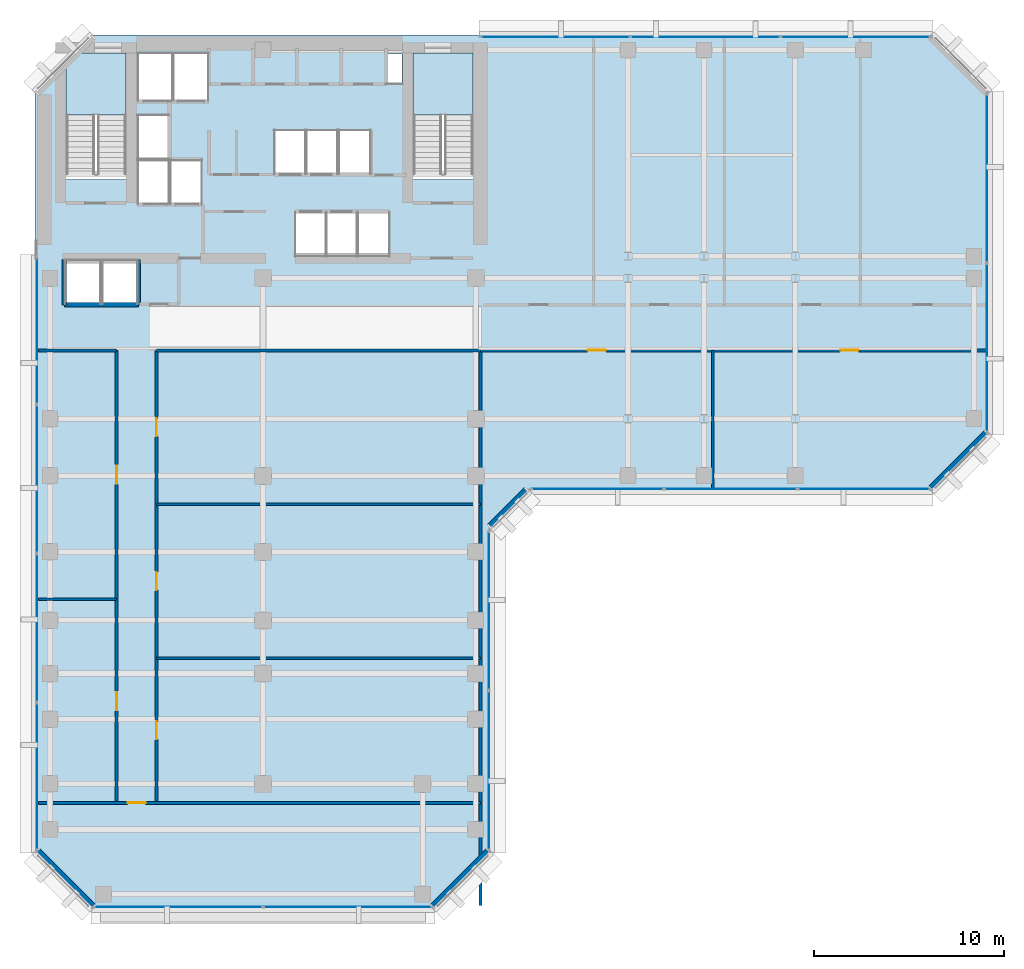
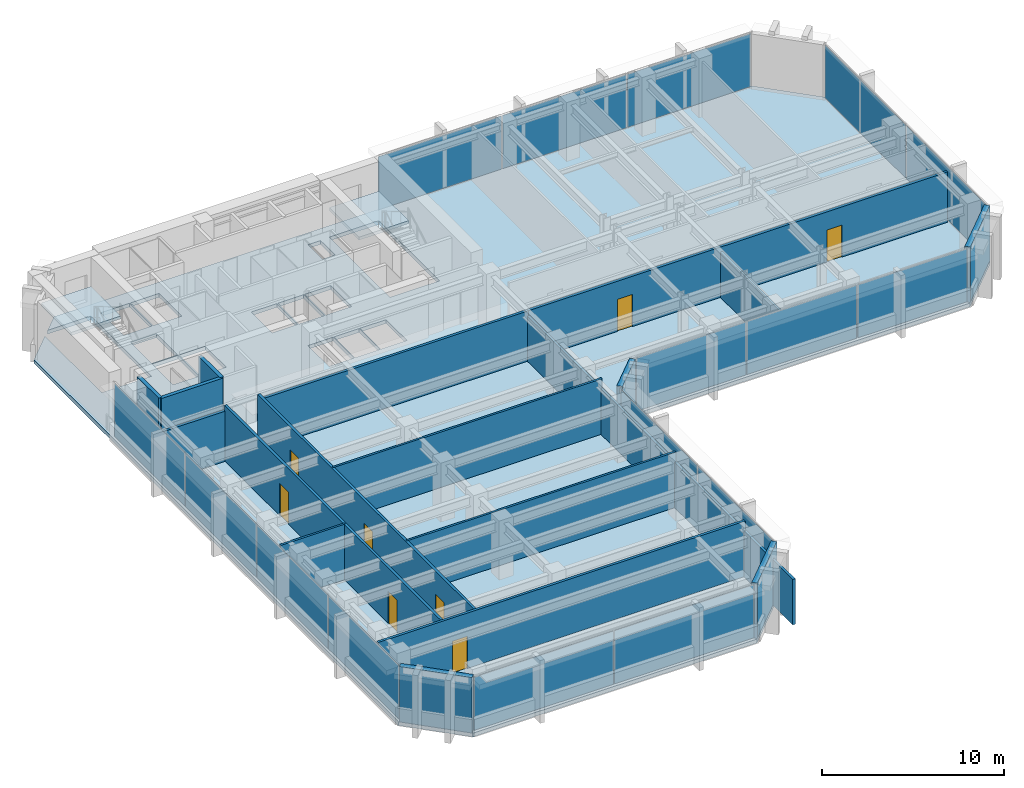
# One storey, part 6 of 11: 18 walls, 16 plates, 8 doors, 3 slabs, 8 openings, 8 elements without a shape of their own.
"""IFC4 building model written with IfcOpenShell, lengths in metres."""

from ifc_helpers import new_model, si_unit, direction, frame, frame_2d, origin, origin_2d, place, context, subcontext, project, spatial, polyline, rectangle, outline, extrude, material, layer, layer_set, type_object, element, fill, aggregate, save


model = new_model("IFC4")

# Units and contexts
model_context = context("Model", 3, precision=1e-05, world=origin(), true_north=direction((0.0, 1.0)))
body_context = subcontext(model_context, "Body", "Model", "MODEL_VIEW")
ifc_project = project(units=[si_unit("LENGTHUNIT", "METRE"), si_unit("AREAUNIT", "SQUARE_METRE"), si_unit("VOLUMEUNIT", "CUBIC_METRE"), si_unit("PLANEANGLEUNIT", "RADIAN"), si_unit("MASSUNIT", "GRAM", prefix="KILO")], contexts=[model_context])

# Site, building, storey
site_placement = place(None, origin())
site = spatial("IfcSite", under=ifc_project, at=site_placement, CompositionType="ELEMENT")
building_placement = place(site_placement, origin())
building = spatial("IfcBuilding", under=site, at=building_placement, Name="Kefirva Bronze Tower", CompositionType="ELEMENT")
storey_placement = place(building_placement, frame((0.0, 0.0, 134.969970703125)))
storey = spatial("IfcBuildingStorey", under=building, at=storey_placement, Name="L32", CompositionType="ELEMENT", Elevation=134.969970703125)

# Stair, slab
ifc_material_1 = material(Name="Concrete C40/50", Category="concrete")
stair_type = type_object("IfcStairType", Name="RC Dogleg Protected Stair 24R", PredefinedType="HALF_TURN_STAIR", material=ifc_material_1)
stair_1_placement = place(storey_placement, origin())
stair_1 = element("IfcStair", 1, at=stair_1_placement, inside=storey, type_object=stair_type, Name="L32 Protected Exit Stair 1", PredefinedType="HALF_TURN_STAIR")
ifc_layer_1 = layer(ifc_material_1, 0.199951171875, Name="Concrete C40/50")
ifc_layer_set_1 = layer_set([ifc_layer_1], Name="Concrete C40/50")
slab_type_1 = type_object("IfcSlabType", Name="RC Stair Landing Slab 200mm", PredefinedType="LANDING", material=ifc_layer_set_1)
slab_1_placement = place(storey_placement, frame((0.0, 0.0, 1.780029296875)))
slab_1 = element("IfcSlab", 2, at=slab_1_placement, type_object=slab_type_1, Name="ST-1 landing 1", PredefinedType="LANDING", context=body_context, shape_type="SweptSolid", body=[
    extrude(outline(polyline([(4.800048828125, 41.780029296875), (4.800048828125, 45.050048828125), (1.64990234375, 45.050048828125), (1.64990234375, 41.780029296875), (4.800048828125, 41.780029296875)])), origin(), (0.0, 0.0, 1.0), 0.199951171875),
])
aggregate(stair_1, [slab_1])

stair_2_placement = place(storey_placement, origin())
stair_2 = element("IfcStair", 3, at=stair_2_placement, inside=storey, type_object=stair_type, Name="L32 Protected Exit Stair 2", PredefinedType="HALF_TURN_STAIR")
slab_2_placement = place(storey_placement, frame((0.0, 0.0, 1.780029296875)))
slab_2 = element("IfcSlab", 4, at=slab_2_placement, type_object=slab_type_1, Name="ST-2 landing 1", PredefinedType="LANDING", context=body_context, shape_type="SweptSolid", body=[
    extrude(outline(polyline([(23.050048828125, 41.780029296875), (23.050048828125, 45.050048828125), (19.89990234375, 45.050048828125), (19.89990234375, 41.780029296875), (23.050048828125, 41.780029296875)])), origin(), (0.0, 0.0, 1.0), 0.199951171875),
])
aggregate(stair_2, [slab_2])

# Slab
ifc_layer_2 = layer(ifc_material_1, 0.25, Name="Concrete C40/50")
ifc_layer_set_2 = layer_set([ifc_layer_2], Name="Concrete C40/50")
slab_type_2 = type_object("IfcSlabType", Name="RC Tower Floor Slab 250mm", PredefinedType="FLOOR", material=ifc_layer_set_2)
slab_3_placement = place(storey_placement, frame((0.0, 0.0, -0.25)))
element("IfcSlab", 5, at=slab_3_placement, inside=storey, type_object=slab_type_2, Name="L32 Structural Floor Slab", PredefinedType="FLOOR", context=body_context, shape_type="SweptSolid", body=[
    extrude(outline(polyline([(0.0, 3.0), (0.0, 43.0), (1.64990234375, 44.64990234375), (1.64990234375, 38.39990234375), (4.800048828125, 38.39990234375), (4.800048828125, 45.050048828125), (2.050048828125, 45.050048828125), (3.0, 46.0), (47.199951171875, 46.0), (50.199951171875, 43.0), (50.199951171875, 25.0), (47.199951171875, 22.0), (26.0, 22.0), (24.0, 20.0), (24.0, 3.0), (21.0, 0.0), (3.0, 0.0), (0.0, 3.0)]), holes=[polyline([(23.050048828125, 38.39990234375), (23.050048828125, 45.050048828125), (19.89990234375, 45.050048828125), (19.89990234375, 38.39990234375), (23.050048828125, 38.39990234375)]), polyline([(19.320068359375, 43.419921875), (19.320068359375, 45.0), (18.52001953125, 45.0), (18.52001953125, 43.419921875), (19.320068359375, 43.419921875)]), polyline([(18.64990234375, 34.35009765625), (18.64990234375, 36.64990234375), (17.0, 36.64990234375), (17.0, 34.35009765625), (18.64990234375, 34.35009765625)]), polyline([(17.64990234375, 38.679931640625), (17.64990234375, 40.97998046875), (16.0, 40.97998046875), (16.0, 38.679931640625), (17.64990234375, 38.679931640625)]), polyline([(16.949951171875, 34.35009765625), (16.949951171875, 36.64990234375), (15.35009765625, 36.64990234375), (15.35009765625, 34.35009765625), (16.949951171875, 34.35009765625)]), polyline([(15.929931640625, 38.679931640625), (15.929931640625, 40.97998046875), (14.300048828125, 40.97998046875), (14.300048828125, 38.679931640625), (15.929931640625, 38.679931640625)]), polyline([(15.300048828125, 34.35009765625), (15.300048828125, 36.64990234375), (13.699951171875, 36.64990234375), (13.699951171875, 34.35009765625), (15.300048828125, 34.35009765625)]), polyline([(14.22998046875, 38.679931640625), (14.22998046875, 40.97998046875), (12.60009765625, 40.97998046875), (12.60009765625, 38.679931640625), (14.22998046875, 38.679931640625)]), polyline([(9.1201171875, 42.550048828125), (9.1201171875, 45.050048828125), (7.300048828125, 45.050048828125), (7.300048828125, 42.550048828125), (9.1201171875, 42.550048828125)]), polyline([(8.780029296875, 37.10009765625), (8.780029296875, 39.39990234375), (7.139892578125, 39.39990234375), (7.139892578125, 37.10009765625), (8.780029296875, 37.10009765625)]), polyline([(7.239990234375, 42.550048828125), (7.239990234375, 45.050048828125), (5.419921875, 45.050048828125), (5.419921875, 42.550048828125), (7.239990234375, 42.550048828125)]), polyline([(7.06005859375, 37.10009765625), (7.06005859375, 39.39990234375), (5.419921875, 39.39990234375), (5.419921875, 37.10009765625), (7.06005859375, 37.10009765625)]), polyline([(7.06005859375, 39.47998046875), (7.06005859375, 41.780029296875), (5.419921875, 41.780029296875), (5.419921875, 39.47998046875), (7.06005859375, 39.47998046875)]), polyline([(5.39990234375, 31.85009765625), (5.39990234375, 34.14990234375), (3.550048828125, 34.14990234375), (3.550048828125, 31.85009765625), (5.39990234375, 31.85009765625)]), polyline([(3.449951171875, 31.85009765625), (3.449951171875, 34.14990234375), (1.60009765625, 34.14990234375), (1.60009765625, 31.85009765625), (3.449951171875, 31.85009765625)])]), origin(), (0.0, 0.0, 1.0), 0.25),
])

# Curtain wall, plates
ifc_material_2 = material(Name="Bronze anodised aluminium", Category="aluminium")
ifc_layer_3 = layer(ifc_material_2, 0.199951171875, Name="Bronze anodised aluminium")
ifc_layer_set_3 = layer_set([ifc_layer_3], Name="Bronze anodised aluminium")
curtain_wall_type = type_object("IfcCurtainWallType", Name="Unitised Bronze Ribbon Curtain Wall Zone 2", PredefinedType="USERDEFINED", material=ifc_layer_set_3)
curtain_wall_1_placement = place(storey_placement, origin())
curtain_wall_1 = element("IfcCurtainWall", 6, at=curtain_wall_1_placement, inside=storey, type_object=curtain_wall_type, Name="L32 Curtain Wall 1", ObjectType="UNITISED CURTAIN WALL", PredefinedType="USERDEFINED")
ifc_material_3 = material(Name="Laminated low-E double glazing", Category="glass")
ifc_layer_4 = layer(ifc_material_3, 0.031982421875, Name="Laminated low-E double glazing")
ifc_layer_set_4 = layer_set([ifc_layer_4], Name="Laminated low-E double glazing")
plate_type = type_object("IfcPlateType", Name="Solar-Control Low-E Vision Panel 32mm", PredefinedType="CURTAIN_PANEL", material=ifc_layer_set_4)
plate_1_placement = place(storey_placement, frame((7.546142578125, 0.1201171875, 0.074951171875), z_axis=(0.0, 0.0, 1.0), x_axis=(1.0, 0.0, 0.0)))
plate_1 = element("IfcPlate", 7, at=plate_1_placement, type_object=plate_type, Name="CW-02 panel 1.1", PredefinedType="CURTAIN_PANEL", context=body_context, shape_type="SweptSolid", body=[
    extrude(rectangle(XDim=8.83251953125, YDim=0.031982421875, at=origin_2d()), origin(), (0.0, 0.0, 1.0), 3.56005859375),
])
plate_2_placement = place(storey_placement, frame((16.453857421875, 0.1201171875, 0.074951171875), z_axis=(0.0, 0.0, 1.0), x_axis=(1.0, 0.0, 0.0)))
plate_2 = element("IfcPlate", 8, at=plate_2_placement, type_object=plate_type, Name="CW-02 panel 2.1", PredefinedType="CURTAIN_PANEL", context=body_context, shape_type="SweptSolid", body=[
    extrude(rectangle(XDim=8.83251953125, YDim=0.031982421875, at=origin_2d()), origin(), (0.0, 0.0, 1.0), 3.56005859375),
])
aggregate(curtain_wall_1, [plate_1, plate_2])

curtain_wall_2_placement = place(storey_placement, origin())
curtain_wall_2 = element("IfcCurtainWall", 9, at=curtain_wall_2_placement, inside=storey, type_object=curtain_wall_type, Name="L32 Curtain Wall 2", ObjectType="UNITISED CURTAIN WALL", PredefinedType="USERDEFINED")
plate_3_placement = place(storey_placement, frame((23.8798828125, 7.296142578125, 0.074951171875), z_axis=(0.0, 0.0, 1.0), x_axis=(0.0, 1.0, 0.0)))
plate_3 = element("IfcPlate", 10, at=plate_3_placement, type_object=plate_type, Name="CW-02 panel 1.1", PredefinedType="CURTAIN_PANEL", context=body_context, shape_type="SweptSolid", body=[
    extrude(rectangle(XDim=8.33251953125, YDim=0.031982421875, at=origin_2d()), origin(), (0.0, 0.0, 1.0), 3.56005859375),
])
plate_4_placement = place(storey_placement, frame((23.8798828125, 15.703857421875, 0.074951171875), z_axis=(0.0, 0.0, 1.0), x_axis=(0.0, 1.0, 0.0)))
plate_4 = element("IfcPlate", 11, at=plate_4_placement, type_object=plate_type, Name="CW-02 panel 2.1", PredefinedType="CURTAIN_PANEL", context=body_context, shape_type="SweptSolid", body=[
    extrude(rectangle(XDim=8.33251953125, YDim=0.031982421875, at=origin_2d()), origin(), (0.0, 0.0, 1.0), 3.56005859375),
])
aggregate(curtain_wall_2, [plate_3, plate_4])

curtain_wall_3_placement = place(storey_placement, origin())
curtain_wall_3 = element("IfcCurtainWall", 12, at=curtain_wall_3_placement, inside=storey, type_object=curtain_wall_type, Name="L32 Curtain Wall 3", ObjectType="UNITISED CURTAIN WALL", PredefinedType="USERDEFINED")
plate_5_placement = place(storey_placement, frame((29.5888671875, 22.1201171875, 0.074951171875), z_axis=(0.0, 0.0, 1.0), x_axis=(1.0, 0.0, 0.0)))
plate_5 = element("IfcPlate", 13, at=plate_5_placement, type_object=plate_type, Name="CW-02 panel 1.1", PredefinedType="CURTAIN_PANEL", context=body_context, shape_type="SweptSolid", body=[
    extrude(rectangle(XDim=6.91748046875, YDim=0.031982421875, at=origin_2d()), origin(), (0.0, 0.0, 1.0), 3.56005859375),
])
plate_6_placement = place(storey_placement, frame((36.60009765625, 22.1201171875, 0.074951171875), z_axis=(0.0, 0.0, 1.0), x_axis=(1.0, 0.0, 0.0)))
plate_6 = element("IfcPlate", 14, at=plate_6_placement, type_object=plate_type, Name="CW-02 panel 2.1", PredefinedType="CURTAIN_PANEL", context=body_context, shape_type="SweptSolid", body=[
    extrude(rectangle(XDim=6.955078125, YDim=0.031982421875, at=origin_2d()), origin(), (0.0, 0.0, 1.0), 3.56005859375),
])
plate_7_placement = place(storey_placement, frame((43.611328125, 22.1201171875, 0.074951171875), z_axis=(0.0, 0.0, 1.0), x_axis=(1.0, 0.0, 0.0)))
plate_7 = element("IfcPlate", 15, at=plate_7_placement, type_object=plate_type, Name="CW-02 panel 3.1", PredefinedType="CURTAIN_PANEL", context=body_context, shape_type="SweptSolid", body=[
    extrude(rectangle(XDim=6.91748046875, YDim=0.031982421875, at=origin_2d()), origin(), (0.0, 0.0, 1.0), 3.56005859375),
])
aggregate(curtain_wall_3, [plate_5, plate_6, plate_7])

curtain_wall_4_placement = place(storey_placement, origin())
curtain_wall_4 = element("IfcCurtainWall", 16, at=curtain_wall_4_placement, inside=storey, type_object=curtain_wall_type, Name="L32 Curtain Wall 4", ObjectType="UNITISED CURTAIN WALL", PredefinedType="USERDEFINED")
plate_8_placement = place(storey_placement, frame((50.080078125, 29.546142578125, 0.074951171875), z_axis=(0.0, 0.0, 1.0), x_axis=(0.0, 1.0, 0.0)))
plate_8 = element("IfcPlate", 17, at=plate_8_placement, type_object=plate_type, Name="CW-02 panel 1.1", PredefinedType="CURTAIN_PANEL", context=body_context, shape_type="SweptSolid", body=[
    extrude(rectangle(XDim=8.83251953125, YDim=0.031982421875, at=origin_2d()), origin(), (0.0, 0.0, 1.0), 3.56005859375),
])
plate_9_placement = place(storey_placement, frame((50.080078125, 38.453857421875, 0.074951171875), z_axis=(0.0, 0.0, 1.0), x_axis=(0.0, 1.0, 0.0)))
plate_9 = element("IfcPlate", 18, at=plate_9_placement, type_object=plate_type, Name="CW-02 panel 2.1", PredefinedType="CURTAIN_PANEL", context=body_context, shape_type="SweptSolid", body=[
    extrude(rectangle(XDim=8.83251953125, YDim=0.031982421875, at=origin_2d()), origin(), (0.0, 0.0, 1.0), 3.56005859375),
])
aggregate(curtain_wall_4, [plate_8, plate_9])

curtain_wall_5_placement = place(storey_placement, origin())
curtain_wall_5 = element("IfcCurtainWall", 19, at=curtain_wall_5_placement, inside=storey, type_object=curtain_wall_type, Name="L32 Curtain Wall 5", ObjectType="UNITISED CURTAIN WALL", PredefinedType="USERDEFINED")
plate_10_placement = place(storey_placement, frame((43.169677734375, 45.8798828125, 0.074951171875), z_axis=(0.0, 0.0, 1.0), x_axis=(-1.0, 0.0, 0.0)))
plate_10 = element("IfcPlate", 20, at=plate_10_placement, type_object=plate_type, Name="CW-02 panel 1.1", PredefinedType="CURTAIN_PANEL", context=body_context, shape_type="SweptSolid", body=[
    extrude(rectangle(XDim=7.80078125, YDim=0.031982421875, at=origin_2d()), origin(), (0.0, 0.0, 1.0), 3.56005859375),
])
plate_11_placement = place(storey_placement, frame((35.27490234375, 45.8798828125, 0.074951171875), z_axis=(0.0, 0.0, 1.0), x_axis=(-1.0, 0.0, 0.0)))
plate_11 = element("IfcPlate", 21, at=plate_11_placement, type_object=plate_type, Name="CW-02 panel 2.1", PredefinedType="CURTAIN_PANEL", context=body_context, shape_type="SweptSolid", body=[
    extrude(rectangle(XDim=7.83837890625, YDim=0.031982421875, at=origin_2d()), origin(), (0.0, 0.0, 1.0), 3.56005859375),
])
plate_12_placement = place(storey_placement, frame((27.38037109375, 45.8798828125, 0.074951171875), z_axis=(0.0, 0.0, 1.0), x_axis=(-1.0, 0.0, 0.0)))
plate_12 = element("IfcPlate", 22, at=plate_12_placement, type_object=plate_type, Name="CW-02 panel 3.1", PredefinedType="CURTAIN_PANEL", context=body_context, shape_type="SweptSolid", body=[
    extrude(rectangle(XDim=7.80078125, YDim=0.031982421875, at=origin_2d()), origin(), (0.0, 0.0, 1.0), 3.56005859375),
])
aggregate(curtain_wall_5, [plate_10, plate_11, plate_12])

curtain_wall_6_placement = place(storey_placement, origin())
curtain_wall_6 = element("IfcCurtainWall", 23, at=curtain_wall_6_placement, inside=storey, type_object=curtain_wall_type, Name="L32 Curtain Wall 6", ObjectType="UNITISED CURTAIN WALL", PredefinedType="USERDEFINED")
plate_13_placement = place(storey_placement, frame((0.1201171875, 30.458740234375, 0.074951171875), z_axis=(0.0, 0.0, 1.0), x_axis=(0.0, -1.0, 0.0)))
plate_13 = element("IfcPlate", 24, at=plate_13_placement, type_object=plate_type, Name="CW-02 panel 1.1", PredefinedType="CURTAIN_PANEL", context=body_context, shape_type="SweptSolid", body=[
    extrude(rectangle(XDim=7.722412109375, YDim=0.031982421875, at=origin_2d()), origin(), (0.0, 0.0, 1.0), 3.56005859375),
])
plate_14_placement = place(storey_placement, frame((0.1201171875, 22.642578125, 0.074951171875), z_axis=(0.0, 0.0, 1.0), x_axis=(0.0, -1.0, 0.0)))
plate_14 = element("IfcPlate", 25, at=plate_14_placement, type_object=plate_type, Name="CW-02 panel 2.1", PredefinedType="CURTAIN_PANEL", context=body_context, shape_type="SweptSolid", body=[
    extrude(rectangle(XDim=7.760009765625, YDim=0.031982421875, at=origin_2d()), origin(), (0.0, 0.0, 1.0), 3.56005859375),
])
plate_15_placement = place(storey_placement, frame((0.1201171875, 14.8076171875, 0.074951171875), z_axis=(0.0, 0.0, 1.0), x_axis=(0.0, -1.0, 0.0)))
plate_15 = element("IfcPlate", 26, at=plate_15_placement, type_object=plate_type, Name="CW-02 panel 3.1", PredefinedType="CURTAIN_PANEL", context=body_context, shape_type="SweptSolid", body=[
    extrude(rectangle(XDim=7.760009765625, YDim=0.031982421875, at=origin_2d()), origin(), (0.0, 0.0, 1.0), 3.56005859375),
])
plate_16_placement = place(storey_placement, frame((0.1201171875, 6.9912109375, 0.074951171875), z_axis=(0.0, 0.0, 1.0), x_axis=(0.0, -1.0, 0.0)))
plate_16 = element("IfcPlate", 27, at=plate_16_placement, type_object=plate_type, Name="CW-02 panel 4.1", PredefinedType="CURTAIN_PANEL", context=body_context, shape_type="SweptSolid", body=[
    extrude(rectangle(XDim=7.722412109375, YDim=0.031982421875, at=origin_2d()), origin(), (0.0, 0.0, 1.0), 3.56005859375),
])
aggregate(curtain_wall_6, [plate_13, plate_14, plate_15, plate_16])

# Walls
ifc_material_4 = material(Name="Gypsum acoustic partition")
ifc_layer_5 = layer(ifc_material_4, 0.1298828125, Name="Gypsum acoustic partition")
ifc_layer_set_5 = layer_set([ifc_layer_5], Name="Gypsum acoustic partition")
wall_type_1 = type_object("IfcWallType", Name="Acoustic Office Partition 130mm", PredefinedType="PARTITIONING", material=ifc_layer_set_5)
wall_1_placement = place(storey_placement, frame((0.18994140625, 16.31005859375, 0.0), z_axis=(0.0, 0.0, 1.0), x_axis=(1.0, 0.0, 0.0)))
element("IfcWall", 28, at=wall_1_placement, inside=storey, type_object=wall_type_1, Name="L32 Partition W-L32-SWD1", PredefinedType="PARTITIONING", context=body_context, shape_type="SweptSolid", body=[
    extrude(rectangle(XDim=4.110107421875, YDim=0.1298828125, at=frame_2d((2.05517578125, 0.0))), origin(), (0.0, 0.0, 1.0), 3.7099609375),
])
for number, where, z_axis, x_axis, name in (
    (29, (6.39990234375, 13.216064453125, 0.0), (0.0, 0.0, 1.0), (1.0, 0.0, 0.0), "L32 Partition W-L32-SED1"),
    (30, (6.39990234375, 21.30810546875, 0.0), (0.0, 0.0, 1.0), (1.0, 0.0, 0.0), "L32 Partition W-L32-SED2"),
):
    element("IfcWall", number, at=place(storey_placement, frame(where, z_axis=z_axis, x_axis=x_axis)), inside=storey, type_object=wall_type_1, Name=name, PredefinedType="PARTITIONING", context=body_context, shape_type="SweptSolid", body=[
        extrude(rectangle(XDim=17.050048828125, YDim=0.1298828125, at=frame_2d((8.52490234375, 0.0))), origin(), (0.0, 0.0, 1.0), 3.7099609375),
    ])
wall_2_placement = place(storey_placement, frame((35.66748046875, 22.18994140625, 0.0), z_axis=(0.0, 0.0, 1.0), x_axis=(0.0, 1.0, 0.0)))
element("IfcWall", 31, at=wall_2_placement, inside=storey, type_object=wall_type_1, Name="L32 Partition W-L32-ESD1", PredefinedType="PARTITIONING", context=body_context, shape_type="SweptSolid", body=[
    extrude(rectangle(XDim=7.2099609375, YDim=0.1298828125, at=frame_2d((3.60498046875, 0.0))), origin(), (0.0, 0.0, 1.0), 3.044921875),
])
ifc_material_5 = material(Name="Gypsum fireboard shaftwall")
ifc_layer_6 = layer(ifc_material_5, 0.219970703125, Name="Gypsum fireboard shaftwall")
ifc_layer_set_6 = layer_set([ifc_layer_6], Name="Gypsum fireboard shaftwall")
wall_type_2 = type_object("IfcWallType", Name="Fire-Rated Shaft Enclosure Wall 220mm", PredefinedType="PARTITIONING", material=ifc_layer_set_6)
wall_3_placement = place(storey_placement, frame((1.550048828125, 31.800048828125, 0.0), z_axis=(0.0, 0.0, 1.0), x_axis=(1.0, 0.0, 0.0)))
element("IfcWall", 32, at=wall_3_placement, inside=storey, type_object=wall_type_2, Name="L32 Partition W-L32-OBS", PredefinedType="PARTITIONING", context=body_context, shape_type="SweptSolid", body=[
    extrude(rectangle(XDim=3.89990234375, YDim=0.219970703125, at=frame_2d((1.949951171875, 0.0))), origin(), (0.0, 0.0, 1.0), 3.7099609375),
])
for number, where, z_axis, x_axis, name in (
    (33, (1.550048828125, 31.800048828125, 0.0), (0.0, 0.0, 1.0), (0.0, 1.0, 0.0), "L32 Partition W-L32-OBW"),
    (34, (5.449951171875, 31.800048828125, 0.0), (0.0, 0.0, 1.0), (0.0, 1.0, 0.0), "L32 Partition W-L32-OBE"),
):
    element("IfcWall", number, at=place(storey_placement, frame(where, z_axis=z_axis, x_axis=x_axis)), inside=storey, type_object=wall_type_2, Name=name, PredefinedType="PARTITIONING", context=body_context, shape_type="SweptSolid", body=[
        extrude(rectangle(XDim=2.3798828125, YDim=0.219970703125, at=frame_2d((1.18994140625, 0.0))), origin(), (0.0, 0.0, 1.0), 3.7099609375),
    ])
ifc_material_6 = material(Name="Precast concrete C40/50", Category="concrete")
ifc_layer_7 = layer(ifc_material_6, 0.320068359375, Name="Precast concrete C40/50")
ifc_layer_set_7 = layer_set([ifc_layer_7], Name="Precast concrete C40/50")
wall_type_3 = type_object("IfcWallType", Name="Precast Insulated Exterior Wall 320mm", PredefinedType="SOLIDWALL", material=ifc_layer_set_7)
wall_4_placement = place(storey_placement, frame((20.92578125, 0.152099609375, 0.0), z_axis=(0.0, 0.0, 1.0), x_axis=(0.707106781187, 0.707106781187, 0.0)))
element("IfcWall", 35, at=wall_4_placement, inside=storey, type_object=wall_type_3, Name="L32 Exterior Facade Wall 1", PredefinedType="SOLIDWALL", context=body_context, shape_type="SweptSolid", body=[
    extrude(rectangle(XDim=4.132568359375, YDim=0.320068359375, at=frame_2d((2.06640625, 0.0))), origin(), (0.0, 0.0, 1.0), 3.7099609375),
])
wall_5_placement = place(storey_placement, frame((23.92578125, 20.152099609375, 0.0), z_axis=(0.0, 0.0, 1.0), x_axis=(0.707106781187, 0.707106781187, 0.0)))
element("IfcWall", 36, at=wall_5_placement, inside=storey, type_object=wall_type_3, Name="L32 Exterior Facade Wall 2", PredefinedType="SOLIDWALL", context=body_context, shape_type="SweptSolid", body=[
    extrude(rectangle(XDim=2.71826171875, YDim=0.320068359375, at=frame_2d((1.359130859375, 0.0))), origin(), (0.0, 0.0, 1.0), 3.7099609375),
])
for number, where, z_axis, x_axis, name in (
    (37, (47.125732421875, 22.152099609375, 0.0), (0.0, 0.0, 1.0), (0.707136318428, 0.707077242712, 0.0), "L32 Exterior Facade Wall 3"),
    (38, (0.152099609375, 3.07421875, 0.0), (0.0, 0.0, 1.0), (0.707106781187, -0.707106781187, 0.0), "L32 Exterior Facade Wall 6"),
):
    element("IfcWall", number, at=place(storey_placement, frame(where, z_axis=z_axis, x_axis=x_axis)), inside=storey, type_object=wall_type_3, Name=name, PredefinedType="SOLIDWALL", context=body_context, shape_type="SweptSolid", body=[
        extrude(rectangle(XDim=4.132568359375, YDim=0.320068359375, at=frame_2d((2.06640625, 0.0))), origin(), (0.0, 0.0, 1.0), 3.7099609375),
    ])

# Wall, openings, doors
ifc_layer_8 = layer(ifc_material_4, 0.159912109375, Name="Gypsum acoustic partition")
ifc_layer_set_8 = layer_set([ifc_layer_8], Name="Gypsum acoustic partition")
wall_type_4 = type_object("IfcWallType", Name="Protected Corridor Partition 160mm", PredefinedType="PARTITIONING", material=ifc_layer_set_8)
wall_6_placement = place(storey_placement, frame((4.300048828125, 5.60009765625, 0.0), z_axis=(0.0, 0.0, 1.0), x_axis=(0.0, 1.0, 0.0)))
wall_6 = element("IfcWall", 39, at=wall_6_placement, inside=storey, type_object=wall_type_4, Name="L32 Partition W-L32-SWCORW", PredefinedType="PARTITIONING", context=body_context, shape_type="SweptSolid", body=[
    extrude(rectangle(XDim=23.7998046875, YDim=0.159912109375, at=frame_2d((11.89990234375, 0.0))), origin(), (0.0, 0.0, 1.0), 3.7099609375),
])
opening_1_placement = place(wall_6_placement, frame((5.829833984375, 0.0, 0.0), z_axis=(0.0, 0.0, 1.0), x_axis=(-1.0, 0.0, 0.0)))
opening_1 = element("IfcOpeningElement", 40, at=opening_1_placement, cuts=wall_6, Name="Opening L32-D-SW1", PredefinedType="OPENING", context=body_context, shape_type="SweptSolid", body=[
    extrude(rectangle(XDim=0.949951171875, YDim=2.14990234375, at=frame_2d((0.47509765625, 1.074951171875))), frame((0.0, 0.08984375, 0.0), z_axis=(0.0, -1.0, 0.0), x_axis=(1.0, 0.0, 0.0)), (0.0, 0.0, 1.0), 0.179931640625),
])
opening_2_placement = place(wall_6_placement, frame((17.72998046875, 0.0, 0.0), z_axis=(0.0, 0.0, 1.0), x_axis=(-1.0, 0.0, 0.0)))
opening_2 = element("IfcOpeningElement", 41, at=opening_2_placement, cuts=wall_6, Name="Opening L32-D-SW2", PredefinedType="OPENING", context=body_context, shape_type="SweptSolid", body=[
    extrude(rectangle(XDim=0.949951171875, YDim=2.14990234375, at=frame_2d((0.47509765625, 1.074951171875))), frame((0.0, 0.08984375, 0.0), z_axis=(0.0, -1.0, 0.0), x_axis=(1.0, 0.0, 0.0)), (0.0, 0.0, 1.0), 0.179931640625),
])
ifc_material_7 = material(Name="Acoustic hardwood oak", Category="wood")
door_type = type_object("IfcDoorType", Name="Office & Meeting Room Door 950x2150", OperationType="NOTDEFINED", PredefinedType="DOOR", material=ifc_material_7)
door_1_placement = place(opening_1_placement, origin())
door_1 = element("IfcDoor", 42, at=door_1_placement, inside=storey, type_object=door_type, Name="Door L32-D-SW1", OperationType="SINGLE_SWING_RIGHT", OverallHeight=2.14990234375, OverallWidth=0.949951171875, PredefinedType="DOOR", context=body_context, shape_type="SweptSolid", body=[
    extrude(rectangle(XDim=0.949951171875, YDim=2.14990234375, at=frame_2d((0.47509765625, 1.074951171875))), frame((0.0, 0.02490234375, 0.0), z_axis=(0.0, -1.0, 0.0), x_axis=(1.0, 0.0, 0.0)), (0.0, 0.0, 1.0), 0.050048828125),
])
fill(opening_1, door_1)
door_2_placement = place(opening_2_placement, origin())
door_2 = element("IfcDoor", 43, at=door_2_placement, inside=storey, type_object=door_type, Name="Door L32-D-SW2", OperationType="SINGLE_SWING_LEFT", OverallHeight=2.14990234375, OverallWidth=0.949951171875, PredefinedType="DOOR", context=body_context, shape_type="SweptSolid", body=[
    extrude(rectangle(XDim=0.949951171875, YDim=2.14990234375, at=frame_2d((0.47509765625, 1.074951171875))), frame((0.0, 0.02490234375, 0.0), z_axis=(0.0, -1.0, 0.0), x_axis=(1.0, 0.0, 0.0)), (0.0, 0.0, 1.0), 0.050048828125),
])
fill(opening_2, door_2)

wall_7_placement = place(storey_placement, frame((6.39990234375, 5.60009765625, 0.0), z_axis=(0.0, 0.0, 1.0), x_axis=(0.0, 1.0, 0.0)))
wall_7 = element("IfcWall", 44, at=wall_7_placement, inside=storey, type_object=wall_type_4, Name="L32 Partition W-L32-SECORE", PredefinedType="PARTITIONING", context=body_context, shape_type="SweptSolid", body=[
    extrude(rectangle(XDim=23.7998046875, YDim=0.159912109375, at=frame_2d((11.89990234375, 0.0))), origin(), (0.0, 0.0, 1.0), 3.7099609375),
])
opening_3_placement = place(wall_7_placement, frame((3.3330078125, 0.0, 0.0)))
opening_3 = element("IfcOpeningElement", 45, at=opening_3_placement, cuts=wall_7, Name="Opening L32-D-SE1", PredefinedType="OPENING", context=body_context, shape_type="SweptSolid", body=[
    extrude(rectangle(XDim=0.949951171875, YDim=2.14990234375, at=frame_2d((0.47509765625, 1.074951171875))), frame((0.0, 0.08984375, 0.0), z_axis=(0.0, -1.0, 0.0), x_axis=(1.0, 0.0, 0.0)), (0.0, 0.0, 1.0), 0.179931640625),
])
opening_4_placement = place(wall_7_placement, frame((11.18701171875, 0.0, 0.0)))
opening_4 = element("IfcOpeningElement", 46, at=opening_4_placement, cuts=wall_7, Name="Opening L32-D-SE2", PredefinedType="OPENING", context=body_context, shape_type="SweptSolid", body=[
    extrude(rectangle(XDim=0.949951171875, YDim=2.14990234375, at=frame_2d((0.47509765625, 1.074951171875))), frame((0.0, 0.08984375, 0.0), z_axis=(0.0, -1.0, 0.0), x_axis=(1.0, 0.0, 0.0)), (0.0, 0.0, 1.0), 0.179931640625),
])
opening_5_placement = place(wall_7_placement, frame((19.279052734375, 0.0, 0.0)))
opening_5 = element("IfcOpeningElement", 47, at=opening_5_placement, cuts=wall_7, Name="Opening L32-D-SE3", PredefinedType="OPENING", context=body_context, shape_type="SweptSolid", body=[
    extrude(rectangle(XDim=0.949951171875, YDim=2.14990234375, at=frame_2d((0.47509765625, 1.074951171875))), frame((0.0, 0.08984375, 0.0), z_axis=(0.0, -1.0, 0.0), x_axis=(1.0, 0.0, 0.0)), (0.0, 0.0, 1.0), 0.179931640625),
])
door_3_placement = place(opening_3_placement, origin())
door_3 = element("IfcDoor", 48, at=door_3_placement, inside=storey, type_object=door_type, Name="Door L32-D-SE1", OperationType="SINGLE_SWING_RIGHT", OverallHeight=2.14990234375, OverallWidth=0.949951171875, PredefinedType="DOOR", context=body_context, shape_type="SweptSolid", body=[
    extrude(rectangle(XDim=0.949951171875, YDim=2.14990234375, at=frame_2d((0.47509765625, 1.074951171875))), frame((0.0, 0.02490234375, 0.0), z_axis=(0.0, -1.0, 0.0), x_axis=(1.0, 0.0, 0.0)), (0.0, 0.0, 1.0), 0.050048828125),
])
fill(opening_3, door_3)
door_4_placement = place(opening_4_placement, origin())
door_4 = element("IfcDoor", 49, at=door_4_placement, inside=storey, type_object=door_type, Name="Door L32-D-SE2", OperationType="SINGLE_SWING_LEFT", OverallHeight=2.14990234375, OverallWidth=0.949951171875, PredefinedType="DOOR", context=body_context, shape_type="SweptSolid", body=[
    extrude(rectangle(XDim=0.949951171875, YDim=2.14990234375, at=frame_2d((0.47509765625, 1.074951171875))), frame((0.0, 0.02490234375, 0.0), z_axis=(0.0, -1.0, 0.0), x_axis=(1.0, 0.0, 0.0)), (0.0, 0.0, 1.0), 0.050048828125),
])
fill(opening_4, door_4)
door_5_placement = place(opening_5_placement, origin())
door_5 = element("IfcDoor", 50, at=door_5_placement, inside=storey, type_object=door_type, Name="Door L32-D-SE3", OperationType="SINGLE_SWING_RIGHT", OverallHeight=2.14990234375, OverallWidth=0.949951171875, PredefinedType="DOOR", context=body_context, shape_type="SweptSolid", body=[
    extrude(rectangle(XDim=0.949951171875, YDim=2.14990234375, at=frame_2d((0.47509765625, 1.074951171875))), frame((0.0, 0.02490234375, 0.0), z_axis=(0.0, -1.0, 0.0), x_axis=(1.0, 0.0, 0.0)), (0.0, 0.0, 1.0), 0.050048828125),
])
fill(opening_5, door_5)

# Wall, opening, door
wall_8_placement = place(storey_placement, frame((0.18994140625, 5.60009765625, 0.0), z_axis=(0.0, 0.0, 1.0), x_axis=(1.0, 0.0, 0.0)))
wall_8 = element("IfcWall", 51, at=wall_8_placement, inside=storey, type_object=wall_type_4, Name="L32 Partition W-L32-SBEND", PredefinedType="PARTITIONING", context=body_context, shape_type="SweptSolid", body=[
    extrude(rectangle(XDim=23.260009765625, YDim=0.159912109375, at=frame_2d((11.6298828125, 0.0))), origin(), (0.0, 0.0, 1.0), 3.7099609375),
])
opening_6_placement = place(wall_8_placement, frame((4.68994140625, 0.0, 0.0)))
opening_6 = element("IfcOpeningElement", 52, at=opening_6_placement, cuts=wall_8, Name="Opening L32-D-SEND1", PredefinedType="OPENING", context=body_context, shape_type="SweptSolid", body=[
    extrude(rectangle(XDim=0.949951171875, YDim=2.14990234375, at=frame_2d((0.47509765625, 1.074951171875))), frame((0.0, 0.08984375, 0.0), z_axis=(0.0, -1.0, 0.0), x_axis=(1.0, 0.0, 0.0)), (0.0, 0.0, 1.0), 0.179931640625),
])
door_6_placement = place(opening_6_placement, origin())
door_6 = element("IfcDoor", 53, at=door_6_placement, inside=storey, type_object=door_type, Name="Door L32-D-SEND1", OperationType="SINGLE_SWING_LEFT", OverallHeight=2.14990234375, OverallWidth=0.949951171875, PredefinedType="DOOR", context=body_context, shape_type="SweptSolid", body=[
    extrude(rectangle(XDim=0.949951171875, YDim=2.14990234375, at=frame_2d((0.47509765625, 1.074951171875))), frame((0.0, 0.02490234375, 0.0), z_axis=(0.0, -1.0, 0.0), x_axis=(1.0, 0.0, 0.0)), (0.0, 0.0, 1.0), 0.050048828125),
])
fill(opening_6, door_6)

# Walls
wall_9_placement = place(storey_placement, frame((0.18994140625, 29.39990234375, 0.0), z_axis=(0.0, 0.0, 1.0), x_axis=(1.0, 0.0, 0.0)))
element("IfcWall", 54, at=wall_9_placement, inside=storey, type_object=wall_type_4, Name="L32 Partition W-L32-NWT", PredefinedType="PARTITIONING", context=body_context, shape_type="SweptSolid", body=[
    extrude(rectangle(XDim=4.110107421875, YDim=0.159912109375, at=frame_2d((2.05517578125, 0.0))), origin(), (0.0, 0.0, 1.0), 3.364990234375),
])
wall_10_placement = place(storey_placement, frame((6.39990234375, 29.39990234375, 0.0), z_axis=(0.0, 0.0, 1.0), x_axis=(1.0, 0.0, 0.0)))
element("IfcWall", 55, at=wall_10_placement, inside=storey, type_object=wall_type_4, Name="L32 Partition W-L32-NET", PredefinedType="PARTITIONING", context=body_context, shape_type="SweptSolid", body=[
    extrude(rectangle(XDim=17.050048828125, YDim=0.159912109375, at=frame_2d((8.52490234375, 0.0))), origin(), (0.0, 0.0, 1.0), 3.364990234375),
])
wall_11_placement = place(storey_placement, frame((23.449951171875, 0.18994140625, 0.0), z_axis=(0.0, 0.0, 1.0), x_axis=(0.0, 1.0, 0.0)))
element("IfcWall", 56, at=wall_11_placement, inside=storey, type_object=wall_type_4, Name="L32 Partition W-L32-SWEAST", PredefinedType="PARTITIONING", context=body_context, shape_type="SweptSolid", body=[
    extrude(rectangle(XDim=29.2099609375, YDim=0.159912109375, at=frame_2d((14.60498046875, 0.0))), origin(), (0.0, 0.0, 1.0), 3.044921875),
])

# Wall, openings, doors
wall_12_placement = place(storey_placement, frame((23.449951171875, 29.39990234375, 0.0), z_axis=(0.0, 0.0, 1.0), x_axis=(1.0, 0.0, 0.0)))
wall_12 = element("IfcWall", 57, at=wall_12_placement, inside=storey, type_object=wall_type_4, Name="L32 Partition W-L32-EWS", PredefinedType="PARTITIONING", context=body_context, shape_type="SweptSolid", body=[
    extrude(rectangle(XDim=26.56005859375, YDim=0.159912109375, at=frame_2d((13.280029296875, 0.0))), origin(), (0.0, 0.0, 1.0), 3.364990234375),
])
opening_7_placement = place(wall_12_placement, frame((6.583740234375, 0.0, 0.0), z_axis=(0.0, 0.0, 1.0), x_axis=(-1.0, 0.0, 0.0)))
opening_7 = element("IfcOpeningElement", 58, at=opening_7_placement, cuts=wall_12, Name="Opening L32-D-ES1", PredefinedType="OPENING", context=body_context, shape_type="SweptSolid", body=[
    extrude(rectangle(XDim=0.949951171875, YDim=2.14990234375, at=frame_2d((0.47509765625, 1.074951171875))), frame((0.0, 0.08984375, 0.0), z_axis=(0.0, -1.0, 0.0), x_axis=(1.0, 0.0, 0.0)), (0.0, 0.0, 1.0), 0.179931640625),
])
opening_8_placement = place(wall_12_placement, frame((19.86376953125, 0.0, 0.0), z_axis=(0.0, 0.0, 1.0), x_axis=(-1.0, 0.0, 0.0)))
opening_8 = element("IfcOpeningElement", 59, at=opening_8_placement, cuts=wall_12, Name="Opening L32-D-ES2", PredefinedType="OPENING", context=body_context, shape_type="SweptSolid", body=[
    extrude(rectangle(XDim=0.949951171875, YDim=2.14990234375, at=frame_2d((0.47509765625, 1.074951171875))), frame((0.0, 0.08984375, 0.0), z_axis=(0.0, -1.0, 0.0), x_axis=(1.0, 0.0, 0.0)), (0.0, 0.0, 1.0), 0.179931640625),
])
door_7_placement = place(opening_7_placement, origin())
door_7 = element("IfcDoor", 60, at=door_7_placement, inside=storey, type_object=door_type, Name="Door L32-D-ES1", OperationType="SINGLE_SWING_LEFT", OverallHeight=2.14990234375, OverallWidth=0.949951171875, PredefinedType="DOOR", context=body_context, shape_type="SweptSolid", body=[
    extrude(rectangle(XDim=0.949951171875, YDim=2.14990234375, at=frame_2d((0.47509765625, 1.074951171875))), frame((0.0, 0.02490234375, 0.0), z_axis=(0.0, -1.0, 0.0), x_axis=(1.0, 0.0, 0.0)), (0.0, 0.0, 1.0), 0.050048828125),
])
fill(opening_7, door_7)
door_8_placement = place(opening_8_placement, origin())
door_8 = element("IfcDoor", 61, at=door_8_placement, inside=storey, type_object=door_type, Name="Door L32-D-ES2", OperationType="SINGLE_SWING_RIGHT", OverallHeight=2.14990234375, OverallWidth=0.949951171875, PredefinedType="DOOR", context=body_context, shape_type="SweptSolid", body=[
    extrude(rectangle(XDim=0.949951171875, YDim=2.14990234375, at=frame_2d((0.47509765625, 1.074951171875))), frame((0.0, 0.02490234375, 0.0), z_axis=(0.0, -1.0, 0.0), x_axis=(1.0, 0.0, 0.0)), (0.0, 0.0, 1.0), 0.050048828125),
])
fill(opening_8, door_8)

save(model, "model.ifc")
